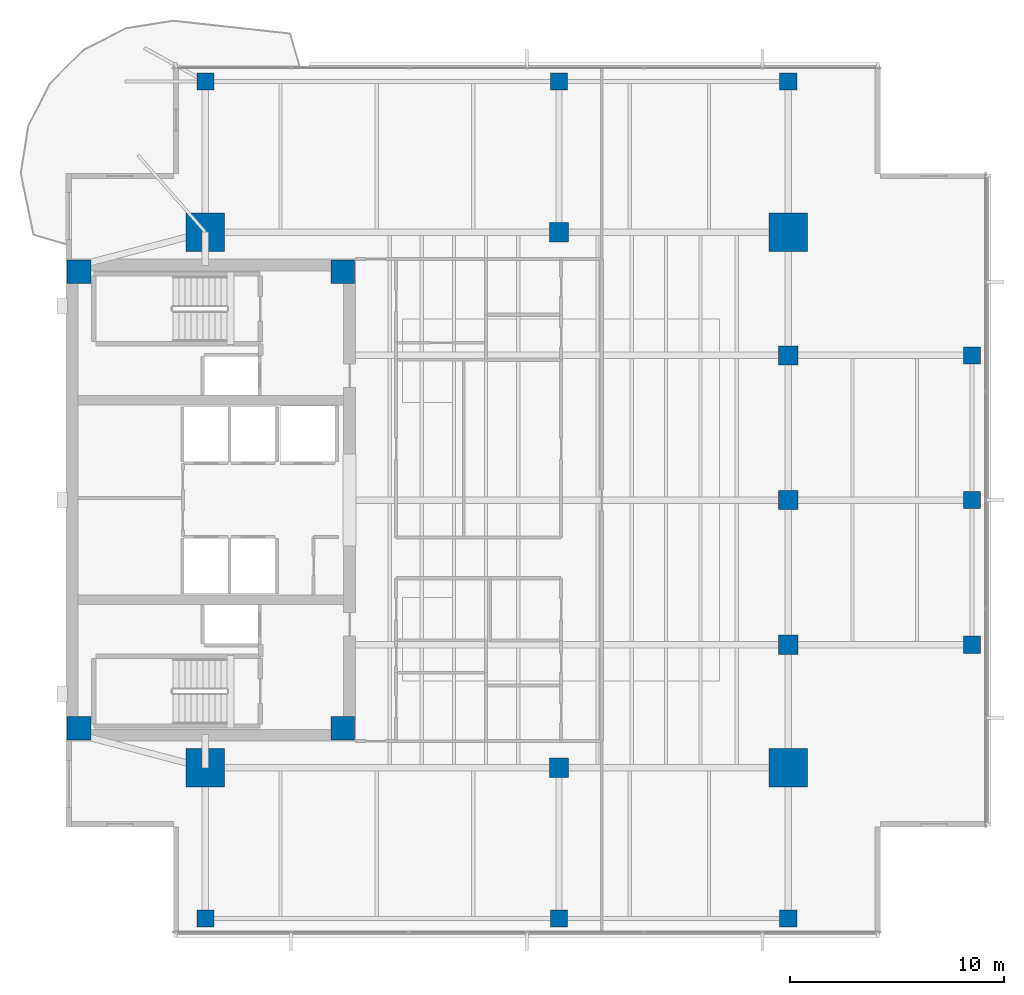
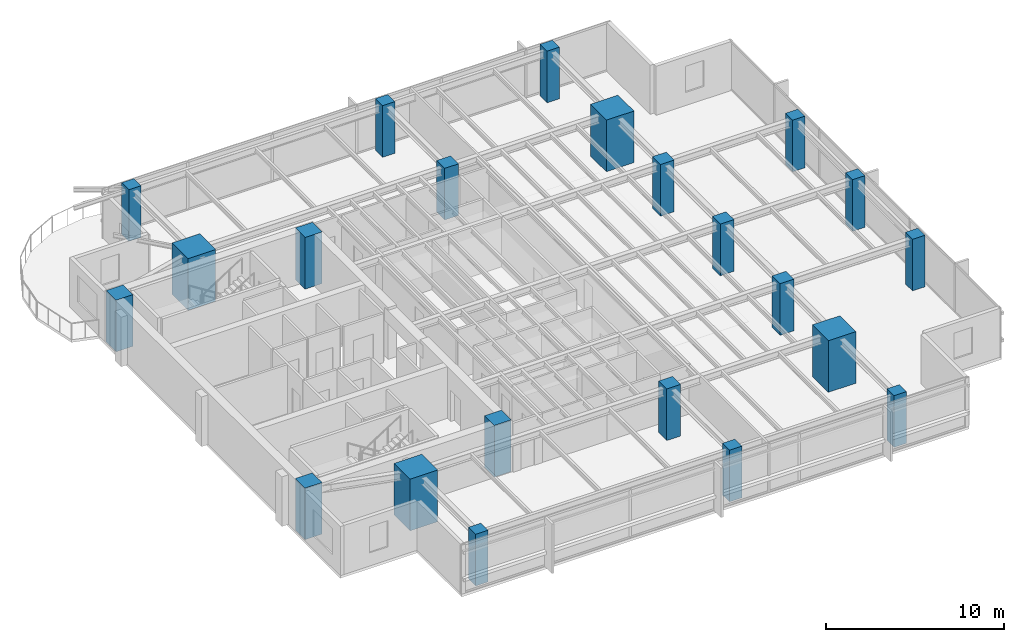
# One storey, part 1 of 14: 22 columns.
"""IFC4 building model written with IfcOpenShell, lengths in metres."""

from ifc_helpers import new_model, si_unit, direction, frame, origin, origin_2d, place, context, subcontext, project, spatial, rectangle, extrude, material, material_profile, profile_set, type_object, element, save


model = new_model("IFC4")

# Units and contexts
model_context = context("Model", 3, precision=1e-05, world=origin(), true_north=direction((0.0, 1.0)))
body_context = subcontext(model_context, "Body", "Model", "MODEL_VIEW")
ifc_project = project(units=[si_unit("LENGTHUNIT", "METRE"), si_unit("AREAUNIT", "SQUARE_METRE"), si_unit("VOLUMEUNIT", "CUBIC_METRE"), si_unit("PLANEANGLEUNIT", "RADIAN"), si_unit("MASSUNIT", "GRAM", prefix="KILO")], contexts=[model_context])

# Site, building, storey
site_placement = place(None, origin())
site = spatial("IfcSite", under=ifc_project, at=site_placement, CompositionType="ELEMENT")
building_placement = place(site_placement, origin())
building = spatial("IfcBuilding", under=site, at=building_placement, Name="Kinhvarn Gate Tower", CompositionType="ELEMENT")
storey_placement = place(building_placement, frame((0.0, 0.0, 191.60009765625)))
storey = spatial("IfcBuildingStorey", under=building, at=storey_placement, Name="L50", CompositionType="ELEMENT", Elevation=191.60009765625)

# Columns
ifc_material_1 = material(Name="Concrete C60/75", Category="concrete")
ifc_material_profile_1 = material_profile(ifc_material_1, rectangle(XDim=1.800048828125, YDim=1.800048828125, at=origin_2d()), Name="RC 1800x1800")
ifc_profile_set_1 = profile_set([ifc_material_profile_1], Name="Concrete C60/75")
column_type_1 = type_object("IfcColumnType", Name="COL-MC-1800", PredefinedType="COLUMN", material=ifc_profile_set_1)
for number, where, z_axis, x_axis, name in (
    (1, (11.0, 12.75, 0.0), (0.0, 0.0, 1.0), (1.0, 0.0, 0.0), "Column MC1-L50 (MC-18)"),
    (2, (11.0, 37.75, 0.0), (0.0, 0.0, 1.0), (1.0, 0.0, 0.0), "Column MC4-L50 (MC-18)"),
    (3, (38.199951171875, 12.75, 0.0), (0.0, 0.0, 1.0), (1.0, 0.0, 0.0), "Column MC2-L50 (MC-18)"),
    (4, (38.199951171875, 37.75, 0.0), (0.0, 0.0, 1.0), (1.0, 0.0, 0.0), "Column MC3-L50 (MC-18)"),
):
    element("IfcColumn", number, at=place(storey_placement, frame(where, z_axis=z_axis, x_axis=x_axis)), inside=storey, type_object=column_type_1, Name=name, PredefinedType="COLUMN", context=body_context, shape_type="SweptSolid", body=[
        extrude(rectangle(XDim=1.800048828125, YDim=1.800048828125, at=origin_2d()), origin(), (0.0, 0.0, 1.0), 3.5498046875),
    ])
ifc_material_2 = material(Name="Concrete C50/60", Category="concrete")
ifc_material_profile_2 = material_profile(ifc_material_2, rectangle(XDim=0.800048828125, YDim=0.800048828125, at=origin_2d()), Name="RC 800x800")
ifc_profile_set_2 = profile_set([ifc_material_profile_2], Name="Concrete C50/60")
column_type_2 = type_object("IfcColumnType", Name="COL-RC-800", PredefinedType="COLUMN", material=ifc_profile_set_2)
for number, where, z_axis, x_axis, name in (
    (5, (46.780029296875, 18.5, 0.0), (0.0, 0.0, 1.0), (1.0, 0.0, 0.0), "Column CE-1-L50 (C-080)"),
    (6, (46.780029296875, 25.25, 0.0), (0.0, 0.0, 1.0), (1.0, 0.0, 0.0), "Column CE-2-L50 (C-080)"),
    (7, (46.780029296875, 32.0, 0.0), (0.0, 0.0, 1.0), (1.0, 0.0, 0.0), "Column CE-3-L50 (C-080)"),
    (8, (11.0, 5.719970703125, 0.0), (0.0, 0.0, 1.0), (1.0, 0.0, 0.0), "Column CS-0-L50 (C-080)"),
    (9, (27.5, 5.719970703125, 0.0), (0.0, 0.0, 1.0), (1.0, 0.0, 0.0), "Column CS-1-L50 (C-080)"),
    (10, (38.199951171875, 5.719970703125, 0.0), (0.0, 0.0, 1.0), (1.0, 0.0, 0.0), "Column CS-2-L50 (C-080)"),
    (11, (11.0, 44.780029296875, 0.0), (0.0, 0.0, 1.0), (1.0, 0.0, 0.0), "Column CN-0-L50 (C-080)"),
    (12, (27.5, 44.780029296875, 0.0), (0.0, 0.0, 1.0), (1.0, 0.0, 0.0), "Column CN-1-L50 (C-080)"),
    (13, (38.199951171875, 44.780029296875, 0.0), (0.0, 0.0, 1.0), (1.0, 0.0, 0.0), "Column CN-2-L50 (C-080)"),
):
    element("IfcColumn", number, at=place(storey_placement, frame(where, z_axis=z_axis, x_axis=x_axis)), inside=storey, type_object=column_type_2, Name=name, PredefinedType="COLUMN", context=body_context, shape_type="SweptSolid", body=[
        extrude(rectangle(XDim=0.800048828125, YDim=0.800048828125, at=origin_2d()), origin(), (0.0, 0.0, 1.0), 3.5498046875),
    ])
ifc_material_profile_3 = material_profile(ifc_material_1, rectangle(XDim=0.89990234375, YDim=0.89990234375, at=origin_2d()), Name="RC 900x900")
ifc_profile_set_3 = profile_set([ifc_material_profile_3], Name="Concrete C60/75")
column_type_3 = type_object("IfcColumnType", Name="COL-RC-900", PredefinedType="COLUMN", material=ifc_profile_set_3)
for number, where, z_axis, x_axis, name in (
    (14, (27.5, 12.75, 0.0), (0.0, 0.0, 1.0), (1.0, 0.0, 0.0), "Column SP27-S-L50 (C-090)"),
    (15, (27.5, 37.75, 0.0), (0.0, 0.0, 1.0), (1.0, 0.0, 0.0), "Column SP27-N-L50 (C-090)"),
    (16, (38.199951171875, 18.5, 0.0), (0.0, 0.0, 1.0), (1.0, 0.0, 0.0), "Column SP38-E1-L50 (C-090)"),
    (17, (38.199951171875, 25.25, 0.0), (0.0, 0.0, 1.0), (1.0, 0.0, 0.0), "Column SP38-E2-L50 (C-090)"),
    (18, (38.199951171875, 32.0, 0.0), (0.0, 0.0, 1.0), (1.0, 0.0, 0.0), "Column SP38-E3-L50 (C-090)"),
):
    element("IfcColumn", number, at=place(storey_placement, frame(where, z_axis=z_axis, x_axis=x_axis)), inside=storey, type_object=column_type_3, Name=name, PredefinedType="COLUMN", context=body_context, shape_type="SweptSolid", body=[
        extrude(rectangle(XDim=0.89990234375, YDim=0.89990234375, at=origin_2d()), origin(), (0.0, 0.0, 1.0), 3.5498046875),
    ])
ifc_material_profile_4 = material_profile(ifc_material_1, rectangle(XDim=1.10009765625, YDim=1.10009765625, at=origin_2d()), Name="RC 1100x1100")
ifc_profile_set_4 = profile_set([ifc_material_profile_4], Name="Concrete C60/75")
column_type_4 = type_object("IfcColumnType", Name="PIL-RC-1100", PredefinedType="PILASTER", material=ifc_profile_set_4)
for number, where, z_axis, x_axis, name in (
    (19, (5.10009765625, 14.60009765625, 0.0), (0.0, 0.0, 1.0), (1.0, 0.0, 0.0), "Column CC-SW-L50 (CP-110)"),
    (20, (5.10009765625, 35.89990234375, 0.0), (0.0, 0.0, 1.0), (1.0, 0.0, 0.0), "Column CC-NW-L50 (CP-110)"),
    (21, (17.39990234375, 14.60009765625, 0.0), (0.0, 0.0, 1.0), (1.0, 0.0, 0.0), "Column CC-SE-L50 (CP-110)"),
    (22, (17.39990234375, 35.89990234375, 0.0), (0.0, 0.0, 1.0), (1.0, 0.0, 0.0), "Column CC-NE-L50 (CP-110)"),
):
    element("IfcColumn", number, at=place(storey_placement, frame(where, z_axis=z_axis, x_axis=x_axis)), inside=storey, type_object=column_type_4, Name=name, PredefinedType="PILASTER", context=body_context, shape_type="SweptSolid", body=[
        extrude(rectangle(XDim=1.10009765625, YDim=1.10009765625, at=origin_2d()), origin(), (0.0, 0.0, 1.0), 3.5498046875),
    ])

save(model, "model.ifc")
